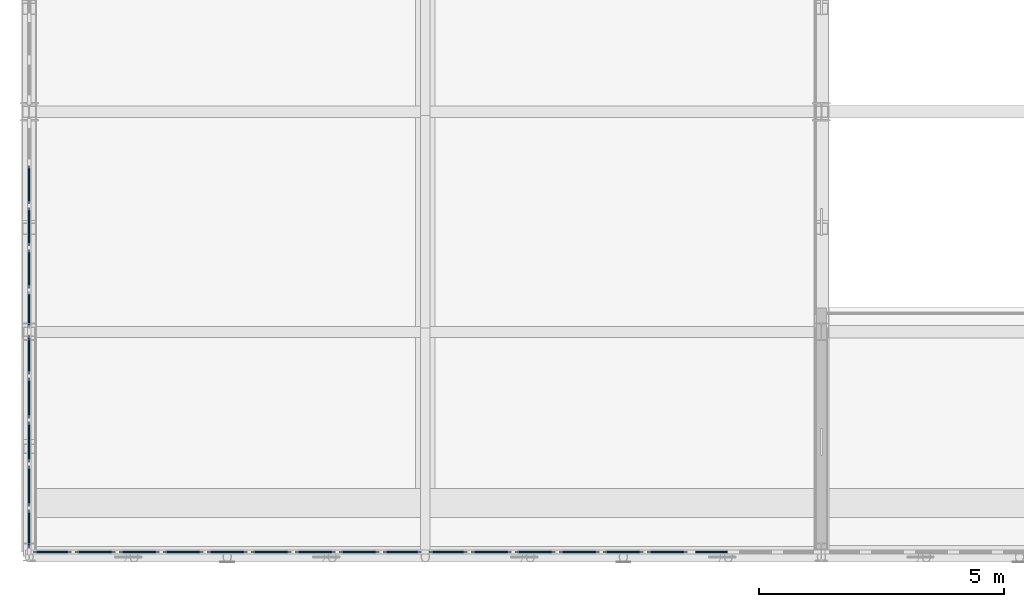
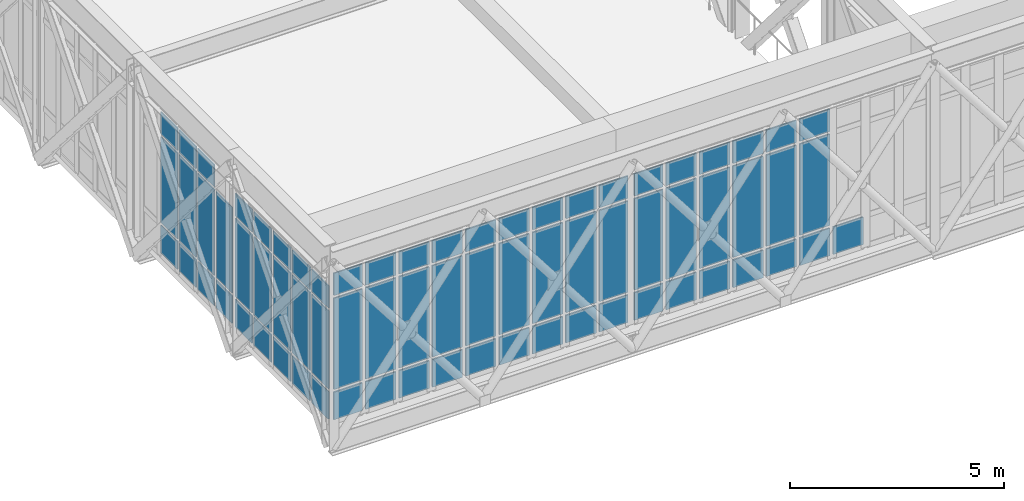
# One storey, part 40 of 70: 72 plates, 4 elements without a shape of their own.
"""IFC4 building model written with IfcOpenShell, lengths in metres."""

from ifc_helpers import new_model, si_unit, direction, frame, origin, origin_2d, place, context, subcontext, project, spatial, rectangle, extrude, material, layer, layer_set, type_object, element, aggregate, save


model = new_model("IFC4")

# Units and contexts
model_context = context("Model", 3, precision=1e-05, world=origin(), true_north=direction((0.0, 1.0)))
body_context = subcontext(model_context, "Body", "Model", "MODEL_VIEW")
ifc_project = project(units=[si_unit("LENGTHUNIT", "METRE"), si_unit("AREAUNIT", "SQUARE_METRE"), si_unit("VOLUMEUNIT", "CUBIC_METRE"), si_unit("PLANEANGLEUNIT", "RADIAN"), si_unit("MASSUNIT", "GRAM", prefix="KILO")], contexts=[model_context])

# Site, building, storey
site_placement = place(None, origin())
site = spatial("IfcSite", under=ifc_project, at=site_placement, CompositionType="ELEMENT")
building_placement = place(site_placement, origin())
building = spatial("IfcBuilding", under=site, at=building_placement, Name="Tarnveldt Square Police Headquarters", CompositionType="ELEMENT")
storey_placement = place(building_placement, frame((0.0, 0.0, 19.800048828125)))
storey = spatial("IfcBuildingStorey", under=building, at=storey_placement, Name="L04", CompositionType="ELEMENT", Elevation=19.800048828125)

# Curtain wall, plates
ifc_material_1 = material(Name="UL 752 Level III laminated ballistic vision glass", Category="glass")
curtain_wall_type_1 = type_object("IfcCurtainWallType", Name="CW-BL-810x433", PredefinedType="USERDEFINED", material=ifc_material_1)
curtain_wall_1_placement = place(storey_placement, origin())
curtain_wall_1 = element("IfcCurtainWall", 1, at=curtain_wall_1_placement, inside=storey, type_object=curtain_wall_type_1, Name="L04 Curtain Wall CW-L04-040", ObjectType="BALLISTIC CURTAIN WALL", PredefinedType="USERDEFINED")
ifc_layer_1 = layer(ifc_material_1, 0.0380859375)
ifc_layer_set_1 = layer_set([ifc_layer_1], Name="UL 752 Level III laminated ballistic vision glass")
plate_type_1 = type_object("IfcPlateType", Name="CWP-BAL-38", PredefinedType="CURTAIN_PANEL", material=ifc_layer_set_1)
plate_1_placement = place(storey_placement, frame((8.5712890625, 7.0, 0.074951171875), z_axis=(0.0, 0.0, 1.0), x_axis=(1.0, 0.0, 0.0)))
plate_1 = element("IfcPlate", 2, at=plate_1_placement, type_object=plate_type_1, Name="CW-BL17 panel 1.1", PredefinedType="CURTAIN_PANEL", context=body_context, shape_type="SweptSolid", body=[
    extrude(rectangle(XDim=0.7724609375, YDim=0.0380859375, at=origin_2d()), origin(), (0.0, 0.0, 1.0), 0.78759765625),
])
plate_2_placement = place(storey_placement, frame((8.5712890625, 7.0, 0.9375), z_axis=(0.0, 0.0, 1.0), x_axis=(1.0, 0.0, 0.0)))
plate_2 = element("IfcPlate", 3, at=plate_2_placement, type_object=plate_type_1, Name="CW-BL17 panel 1.2", PredefinedType="CURTAIN_PANEL", context=body_context, shape_type="SweptSolid", body=[
    extrude(rectangle(XDim=0.7724609375, YDim=0.0380859375, at=origin_2d()), origin(), (0.0, 0.0, 1.0), 2.6015625),
])
plate_3_placement = place(storey_placement, frame((8.5712890625, 7.0, 3.61376953125), z_axis=(0.0, 0.0, 1.0), x_axis=(1.0, 0.0, 0.0)))
plate_3 = element("IfcPlate", 4, at=plate_3_placement, type_object=plate_type_1, Name="CW-BL17 panel 1.3", PredefinedType="CURTAIN_PANEL", context=body_context, shape_type="SweptSolid", body=[
    extrude(rectangle(XDim=0.7724609375, YDim=0.0380859375, at=origin_2d()), origin(), (0.0, 0.0, 1.0), 0.637451171875),
])
plate_4_placement = place(storey_placement, frame((9.449951171875, 7.0, 0.074951171875), z_axis=(0.0, 0.0, 1.0), x_axis=(1.0, 0.0, 0.0)))
plate_4 = element("IfcPlate", 5, at=plate_4_placement, type_object=plate_type_1, Name="CW-BL17 panel 2.1", PredefinedType="CURTAIN_PANEL", context=body_context, shape_type="SweptSolid", body=[
    extrude(rectangle(XDim=0.81494140625, YDim=0.0380859375, at=origin_2d()), origin(), (0.0, 0.0, 1.0), 0.78759765625),
])
plate_5_placement = place(storey_placement, frame((9.449951171875, 7.0, 0.9375), z_axis=(0.0, 0.0, 1.0), x_axis=(1.0, 0.0, 0.0)))
plate_5 = element("IfcPlate", 6, at=plate_5_placement, type_object=plate_type_1, Name="CW-BL17 panel 2.2", PredefinedType="CURTAIN_PANEL", context=body_context, shape_type="SweptSolid", body=[
    extrude(rectangle(XDim=0.81494140625, YDim=0.0380859375, at=origin_2d()), origin(), (0.0, 0.0, 1.0), 2.6015625),
])
plate_6_placement = place(storey_placement, frame((9.449951171875, 7.0, 3.61376953125), z_axis=(0.0, 0.0, 1.0), x_axis=(1.0, 0.0, 0.0)))
plate_6 = element("IfcPlate", 7, at=plate_6_placement, type_object=plate_type_1, Name="CW-BL17 panel 2.3", PredefinedType="CURTAIN_PANEL", context=body_context, shape_type="SweptSolid", body=[
    extrude(rectangle(XDim=0.81494140625, YDim=0.0380859375, at=origin_2d()), origin(), (0.0, 0.0, 1.0), 0.637451171875),
])
plate_7_placement = place(storey_placement, frame((10.35009765625, 7.0, 0.074951171875), z_axis=(0.0, 0.0, 1.0), x_axis=(1.0, 0.0, 0.0)))
plate_7 = element("IfcPlate", 8, at=plate_7_placement, type_object=plate_type_1, Name="CW-BL17 panel 3.1", PredefinedType="CURTAIN_PANEL", context=body_context, shape_type="SweptSolid", body=[
    extrude(rectangle(XDim=0.81494140625, YDim=0.0380859375, at=origin_2d()), origin(), (0.0, 0.0, 1.0), 0.78759765625),
])
plate_8_placement = place(storey_placement, frame((10.35009765625, 7.0, 0.9375), z_axis=(0.0, 0.0, 1.0), x_axis=(1.0, 0.0, 0.0)))
plate_8 = element("IfcPlate", 9, at=plate_8_placement, type_object=plate_type_1, Name="CW-BL17 panel 3.2", PredefinedType="CURTAIN_PANEL", context=body_context, shape_type="SweptSolid", body=[
    extrude(rectangle(XDim=0.81494140625, YDim=0.0380859375, at=origin_2d()), origin(), (0.0, 0.0, 1.0), 2.6015625),
])
plate_9_placement = place(storey_placement, frame((10.35009765625, 7.0, 3.61376953125), z_axis=(0.0, 0.0, 1.0), x_axis=(1.0, 0.0, 0.0)))
plate_9 = element("IfcPlate", 10, at=plate_9_placement, type_object=plate_type_1, Name="CW-BL17 panel 3.3", PredefinedType="CURTAIN_PANEL", context=body_context, shape_type="SweptSolid", body=[
    extrude(rectangle(XDim=0.81494140625, YDim=0.0380859375, at=origin_2d()), origin(), (0.0, 0.0, 1.0), 0.637451171875),
])
plate_10_placement = place(storey_placement, frame((11.25, 7.0, 0.074951171875), z_axis=(0.0, 0.0, 1.0), x_axis=(1.0, 0.0, 0.0)))
plate_10 = element("IfcPlate", 11, at=plate_10_placement, type_object=plate_type_1, Name="CW-BL17 panel 4.1", PredefinedType="CURTAIN_PANEL", context=body_context, shape_type="SweptSolid", body=[
    extrude(rectangle(XDim=0.81494140625, YDim=0.0380859375, at=origin_2d()), origin(), (0.0, 0.0, 1.0), 0.78759765625),
])
plate_11_placement = place(storey_placement, frame((11.25, 7.0, 0.9375), z_axis=(0.0, 0.0, 1.0), x_axis=(1.0, 0.0, 0.0)))
plate_11 = element("IfcPlate", 12, at=plate_11_placement, type_object=plate_type_1, Name="CW-BL17 panel 4.2", PredefinedType="CURTAIN_PANEL", context=body_context, shape_type="SweptSolid", body=[
    extrude(rectangle(XDim=0.81494140625, YDim=0.0380859375, at=origin_2d()), origin(), (0.0, 0.0, 1.0), 2.6015625),
])
plate_12_placement = place(storey_placement, frame((11.25, 7.0, 3.61376953125), z_axis=(0.0, 0.0, 1.0), x_axis=(1.0, 0.0, 0.0)))
plate_12 = element("IfcPlate", 13, at=plate_12_placement, type_object=plate_type_1, Name="CW-BL17 panel 4.3", PredefinedType="CURTAIN_PANEL", context=body_context, shape_type="SweptSolid", body=[
    extrude(rectangle(XDim=0.81494140625, YDim=0.0380859375, at=origin_2d()), origin(), (0.0, 0.0, 1.0), 0.637451171875),
])
plate_13_placement = place(storey_placement, frame((12.14990234375, 7.0, 0.074951171875), z_axis=(0.0, 0.0, 1.0), x_axis=(1.0, 0.0, 0.0)))
plate_13 = element("IfcPlate", 14, at=plate_13_placement, type_object=plate_type_1, Name="CW-BL17 panel 5.1", PredefinedType="CURTAIN_PANEL", context=body_context, shape_type="SweptSolid", body=[
    extrude(rectangle(XDim=0.81494140625, YDim=0.0380859375, at=origin_2d()), origin(), (0.0, 0.0, 1.0), 0.78759765625),
])
plate_14_placement = place(storey_placement, frame((12.14990234375, 7.0, 0.9375), z_axis=(0.0, 0.0, 1.0), x_axis=(1.0, 0.0, 0.0)))
plate_14 = element("IfcPlate", 15, at=plate_14_placement, type_object=plate_type_1, Name="CW-BL17 panel 5.2", PredefinedType="CURTAIN_PANEL", context=body_context, shape_type="SweptSolid", body=[
    extrude(rectangle(XDim=0.81494140625, YDim=0.0380859375, at=origin_2d()), origin(), (0.0, 0.0, 1.0), 2.6015625),
])
plate_15_placement = place(storey_placement, frame((12.14990234375, 7.0, 3.61376953125), z_axis=(0.0, 0.0, 1.0), x_axis=(1.0, 0.0, 0.0)))
plate_15 = element("IfcPlate", 16, at=plate_15_placement, type_object=plate_type_1, Name="CW-BL17 panel 5.3", PredefinedType="CURTAIN_PANEL", context=body_context, shape_type="SweptSolid", body=[
    extrude(rectangle(XDim=0.81494140625, YDim=0.0380859375, at=origin_2d()), origin(), (0.0, 0.0, 1.0), 0.637451171875),
])
plate_16_placement = place(storey_placement, frame((13.050048828125, 7.0, 0.074951171875), z_axis=(0.0, 0.0, 1.0), x_axis=(1.0, 0.0, 0.0)))
plate_16 = element("IfcPlate", 17, at=plate_16_placement, type_object=plate_type_1, Name="CW-BL17 panel 6.1", PredefinedType="CURTAIN_PANEL", context=body_context, shape_type="SweptSolid", body=[
    extrude(rectangle(XDim=0.81494140625, YDim=0.0380859375, at=origin_2d()), origin(), (0.0, 0.0, 1.0), 0.78759765625),
])
plate_17_placement = place(storey_placement, frame((13.050048828125, 7.0, 0.9375), z_axis=(0.0, 0.0, 1.0), x_axis=(1.0, 0.0, 0.0)))
plate_17 = element("IfcPlate", 18, at=plate_17_placement, type_object=plate_type_1, Name="CW-BL17 panel 6.2", PredefinedType="CURTAIN_PANEL", context=body_context, shape_type="SweptSolid", body=[
    extrude(rectangle(XDim=0.81494140625, YDim=0.0380859375, at=origin_2d()), origin(), (0.0, 0.0, 1.0), 2.6015625),
])
plate_18_placement = place(storey_placement, frame((13.050048828125, 7.0, 3.61376953125), z_axis=(0.0, 0.0, 1.0), x_axis=(1.0, 0.0, 0.0)))
plate_18 = element("IfcPlate", 19, at=plate_18_placement, type_object=plate_type_1, Name="CW-BL17 panel 6.3", PredefinedType="CURTAIN_PANEL", context=body_context, shape_type="SweptSolid", body=[
    extrude(rectangle(XDim=0.81494140625, YDim=0.0380859375, at=origin_2d()), origin(), (0.0, 0.0, 1.0), 0.637451171875),
])
plate_19_placement = place(storey_placement, frame((13.949951171875, 7.0, 0.074951171875), z_axis=(0.0, 0.0, 1.0), x_axis=(1.0, 0.0, 0.0)))
plate_19 = element("IfcPlate", 20, at=plate_19_placement, type_object=plate_type_1, Name="CW-BL17 panel 7.1", PredefinedType="CURTAIN_PANEL", context=body_context, shape_type="SweptSolid", body=[
    extrude(rectangle(XDim=0.81494140625, YDim=0.0380859375, at=origin_2d()), origin(), (0.0, 0.0, 1.0), 0.78759765625),
])
plate_20_placement = place(storey_placement, frame((13.949951171875, 7.0, 0.9375), z_axis=(0.0, 0.0, 1.0), x_axis=(1.0, 0.0, 0.0)))
plate_20 = element("IfcPlate", 21, at=plate_20_placement, type_object=plate_type_1, Name="CW-BL17 panel 7.2", PredefinedType="CURTAIN_PANEL", context=body_context, shape_type="SweptSolid", body=[
    extrude(rectangle(XDim=0.81494140625, YDim=0.0380859375, at=origin_2d()), origin(), (0.0, 0.0, 1.0), 2.6015625),
])
plate_21_placement = place(storey_placement, frame((13.949951171875, 7.0, 3.61376953125), z_axis=(0.0, 0.0, 1.0), x_axis=(1.0, 0.0, 0.0)))
plate_21 = element("IfcPlate", 22, at=plate_21_placement, type_object=plate_type_1, Name="CW-BL17 panel 7.3", PredefinedType="CURTAIN_PANEL", context=body_context, shape_type="SweptSolid", body=[
    extrude(rectangle(XDim=0.81494140625, YDim=0.0380859375, at=origin_2d()), origin(), (0.0, 0.0, 1.0), 0.637451171875),
])
plate_22_placement = place(storey_placement, frame((14.85009765625, 7.0, 0.074951171875), z_axis=(0.0, 0.0, 1.0), x_axis=(1.0, 0.0, 0.0)))
plate_22 = element("IfcPlate", 23, at=plate_22_placement, type_object=plate_type_1, Name="CW-BL17 panel 8.1", PredefinedType="CURTAIN_PANEL", context=body_context, shape_type="SweptSolid", body=[
    extrude(rectangle(XDim=0.81494140625, YDim=0.0380859375, at=origin_2d()), origin(), (0.0, 0.0, 1.0), 0.78759765625),
])
plate_23_placement = place(storey_placement, frame((14.85009765625, 7.0, 0.9375), z_axis=(0.0, 0.0, 1.0), x_axis=(1.0, 0.0, 0.0)))
plate_23 = element("IfcPlate", 24, at=plate_23_placement, type_object=plate_type_1, Name="CW-BL17 panel 8.2", PredefinedType="CURTAIN_PANEL", context=body_context, shape_type="SweptSolid", body=[
    extrude(rectangle(XDim=0.81494140625, YDim=0.0380859375, at=origin_2d()), origin(), (0.0, 0.0, 1.0), 2.6015625),
])
plate_24_placement = place(storey_placement, frame((14.85009765625, 7.0, 3.61376953125), z_axis=(0.0, 0.0, 1.0), x_axis=(1.0, 0.0, 0.0)))
plate_24 = element("IfcPlate", 25, at=plate_24_placement, type_object=plate_type_1, Name="CW-BL17 panel 8.3", PredefinedType="CURTAIN_PANEL", context=body_context, shape_type="SweptSolid", body=[
    extrude(rectangle(XDim=0.81494140625, YDim=0.0380859375, at=origin_2d()), origin(), (0.0, 0.0, 1.0), 0.637451171875),
])
plate_25_placement = place(storey_placement, frame((15.728759765625, 7.0, 0.074951171875), z_axis=(0.0, 0.0, 1.0), x_axis=(1.0, 0.0, 0.0)))
plate_25 = element("IfcPlate", 26, at=plate_25_placement, type_object=plate_type_1, Name="CW-BL17 panel 9.1", PredefinedType="CURTAIN_PANEL", context=body_context, shape_type="SweptSolid", body=[
    extrude(rectangle(XDim=0.7724609375, YDim=0.0380859375, at=origin_2d()), origin(), (0.0, 0.0, 1.0), 0.78759765625),
])
plate_26_placement = place(storey_placement, frame((15.728759765625, 7.0, 0.9375), z_axis=(0.0, 0.0, 1.0), x_axis=(1.0, 0.0, 0.0)))
plate_26 = element("IfcPlate", 27, at=plate_26_placement, type_object=plate_type_1, Name="CW-BL17 panel 9.2", PredefinedType="CURTAIN_PANEL", context=body_context, shape_type="SweptSolid", body=[
    extrude(rectangle(XDim=0.7724609375, YDim=0.0380859375, at=origin_2d()), origin(), (0.0, 0.0, 1.0), 2.6015625),
])
plate_27_placement = place(storey_placement, frame((15.728759765625, 7.0, 3.61376953125), z_axis=(0.0, 0.0, 1.0), x_axis=(1.0, 0.0, 0.0)))
plate_27 = element("IfcPlate", 28, at=plate_27_placement, type_object=plate_type_1, Name="CW-BL17 panel 9.3", PredefinedType="CURTAIN_PANEL", context=body_context, shape_type="SweptSolid", body=[
    extrude(rectangle(XDim=0.7724609375, YDim=0.0380859375, at=origin_2d()), origin(), (0.0, 0.0, 1.0), 0.637451171875),
])
aggregate(curtain_wall_1, [plate_1, plate_2, plate_3, plate_4, plate_5, plate_6, plate_7, plate_8, plate_9, plate_10, plate_11, plate_12, plate_13, plate_14, plate_15, plate_16, plate_17, plate_18, plate_19, plate_20, plate_21, plate_22, plate_23, plate_24, plate_25, plate_26, plate_27])

curtain_wall_2_placement = place(storey_placement, origin())
curtain_wall_2 = element("IfcCurtainWall", 29, at=curtain_wall_2_placement, inside=storey, type_object=curtain_wall_type_1, Name="L04 Curtain Wall CW-L04-041", ObjectType="BALLISTIC CURTAIN WALL", PredefinedType="USERDEFINED")
plate_28_placement = place(storey_placement, frame((16.671142578125, 7.0, 0.074951171875), z_axis=(0.0, 0.0, 1.0), x_axis=(1.0, 0.0, 0.0)))
plate_28 = element("IfcPlate", 30, at=plate_28_placement, type_object=plate_type_1, Name="CW-BL17 panel 1.1", PredefinedType="CURTAIN_PANEL", context=body_context, shape_type="SweptSolid", body=[
    extrude(rectangle(XDim=0.7724609375, YDim=0.0380859375, at=origin_2d()), origin(), (0.0, 0.0, 1.0), 0.78759765625),
])
plate_29_placement = place(storey_placement, frame((16.671142578125, 7.0, 0.9375), z_axis=(0.0, 0.0, 1.0), x_axis=(1.0, 0.0, 0.0)))
plate_29 = element("IfcPlate", 31, at=plate_29_placement, type_object=plate_type_1, Name="CW-BL17 panel 1.2", PredefinedType="CURTAIN_PANEL", context=body_context, shape_type="SweptSolid", body=[
    extrude(rectangle(XDim=0.7724609375, YDim=0.0380859375, at=origin_2d()), origin(), (0.0, 0.0, 1.0), 2.6015625),
])
plate_30_placement = place(storey_placement, frame((16.671142578125, 7.0, 3.61376953125), z_axis=(0.0, 0.0, 1.0), x_axis=(1.0, 0.0, 0.0)))
plate_30 = element("IfcPlate", 32, at=plate_30_placement, type_object=plate_type_1, Name="CW-BL17 panel 1.3", PredefinedType="CURTAIN_PANEL", context=body_context, shape_type="SweptSolid", body=[
    extrude(rectangle(XDim=0.7724609375, YDim=0.0380859375, at=origin_2d()), origin(), (0.0, 0.0, 1.0), 0.637451171875),
])
plate_31_placement = place(storey_placement, frame((17.550048828125, 7.0, 0.074951171875), z_axis=(0.0, 0.0, 1.0), x_axis=(1.0, 0.0, 0.0)))
plate_31 = element("IfcPlate", 33, at=plate_31_placement, type_object=plate_type_1, Name="CW-BL17 panel 2.1", PredefinedType="CURTAIN_PANEL", context=body_context, shape_type="SweptSolid", body=[
    extrude(rectangle(XDim=0.81494140625, YDim=0.0380859375, at=origin_2d()), origin(), (0.0, 0.0, 1.0), 0.78759765625),
])
plate_32_placement = place(storey_placement, frame((17.550048828125, 7.0, 0.9375), z_axis=(0.0, 0.0, 1.0), x_axis=(1.0, 0.0, 0.0)))
plate_32 = element("IfcPlate", 34, at=plate_32_placement, type_object=plate_type_1, Name="CW-BL17 panel 2.2", PredefinedType="CURTAIN_PANEL", context=body_context, shape_type="SweptSolid", body=[
    extrude(rectangle(XDim=0.81494140625, YDim=0.0380859375, at=origin_2d()), origin(), (0.0, 0.0, 1.0), 2.6015625),
])
plate_33_placement = place(storey_placement, frame((17.550048828125, 7.0, 3.61376953125), z_axis=(0.0, 0.0, 1.0), x_axis=(1.0, 0.0, 0.0)))
plate_33 = element("IfcPlate", 35, at=plate_33_placement, type_object=plate_type_1, Name="CW-BL17 panel 2.3", PredefinedType="CURTAIN_PANEL", context=body_context, shape_type="SweptSolid", body=[
    extrude(rectangle(XDim=0.81494140625, YDim=0.0380859375, at=origin_2d()), origin(), (0.0, 0.0, 1.0), 0.637451171875),
])
plate_34_placement = place(storey_placement, frame((18.449951171875, 7.0, 0.074951171875), z_axis=(0.0, 0.0, 1.0), x_axis=(1.0, 0.0, 0.0)))
plate_34 = element("IfcPlate", 36, at=plate_34_placement, type_object=plate_type_1, Name="CW-BL17 panel 3.1", PredefinedType="CURTAIN_PANEL", context=body_context, shape_type="SweptSolid", body=[
    extrude(rectangle(XDim=0.81494140625, YDim=0.0380859375, at=origin_2d()), origin(), (0.0, 0.0, 1.0), 0.78759765625),
])
plate_35_placement = place(storey_placement, frame((18.449951171875, 7.0, 0.9375), z_axis=(0.0, 0.0, 1.0), x_axis=(1.0, 0.0, 0.0)))
plate_35 = element("IfcPlate", 37, at=plate_35_placement, type_object=plate_type_1, Name="CW-BL17 panel 3.2", PredefinedType="CURTAIN_PANEL", context=body_context, shape_type="SweptSolid", body=[
    extrude(rectangle(XDim=0.81494140625, YDim=0.0380859375, at=origin_2d()), origin(), (0.0, 0.0, 1.0), 2.6015625),
])
plate_36_placement = place(storey_placement, frame((18.449951171875, 7.0, 3.61376953125), z_axis=(0.0, 0.0, 1.0), x_axis=(1.0, 0.0, 0.0)))
plate_36 = element("IfcPlate", 38, at=plate_36_placement, type_object=plate_type_1, Name="CW-BL17 panel 3.3", PredefinedType="CURTAIN_PANEL", context=body_context, shape_type="SweptSolid", body=[
    extrude(rectangle(XDim=0.81494140625, YDim=0.0380859375, at=origin_2d()), origin(), (0.0, 0.0, 1.0), 0.637451171875),
])
plate_37_placement = place(storey_placement, frame((19.35009765625, 7.0, 0.074951171875), z_axis=(0.0, 0.0, 1.0), x_axis=(1.0, 0.0, 0.0)))
plate_37 = element("IfcPlate", 39, at=plate_37_placement, type_object=plate_type_1, Name="CW-BL17 panel 4.1", PredefinedType="CURTAIN_PANEL", context=body_context, shape_type="SweptSolid", body=[
    extrude(rectangle(XDim=0.81494140625, YDim=0.0380859375, at=origin_2d()), origin(), (0.0, 0.0, 1.0), 0.78759765625),
])
plate_38_placement = place(storey_placement, frame((19.35009765625, 7.0, 0.9375), z_axis=(0.0, 0.0, 1.0), x_axis=(1.0, 0.0, 0.0)))
plate_38 = element("IfcPlate", 40, at=plate_38_placement, type_object=plate_type_1, Name="CW-BL17 panel 4.2", PredefinedType="CURTAIN_PANEL", context=body_context, shape_type="SweptSolid", body=[
    extrude(rectangle(XDim=0.81494140625, YDim=0.0380859375, at=origin_2d()), origin(), (0.0, 0.0, 1.0), 2.6015625),
])
plate_39_placement = place(storey_placement, frame((19.35009765625, 7.0, 3.61376953125), z_axis=(0.0, 0.0, 1.0), x_axis=(1.0, 0.0, 0.0)))
plate_39 = element("IfcPlate", 41, at=plate_39_placement, type_object=plate_type_1, Name="CW-BL17 panel 4.3", PredefinedType="CURTAIN_PANEL", context=body_context, shape_type="SweptSolid", body=[
    extrude(rectangle(XDim=0.81494140625, YDim=0.0380859375, at=origin_2d()), origin(), (0.0, 0.0, 1.0), 0.637451171875),
])
plate_40_placement = place(storey_placement, frame((20.25, 7.0, 0.074951171875), z_axis=(0.0, 0.0, 1.0), x_axis=(1.0, 0.0, 0.0)))
plate_40 = element("IfcPlate", 42, at=plate_40_placement, type_object=plate_type_1, Name="CW-BL17 panel 5.1", PredefinedType="CURTAIN_PANEL", context=body_context, shape_type="SweptSolid", body=[
    extrude(rectangle(XDim=0.81494140625, YDim=0.0380859375, at=origin_2d()), origin(), (0.0, 0.0, 1.0), 0.78759765625),
])
plate_41_placement = place(storey_placement, frame((20.25, 7.0, 0.9375), z_axis=(0.0, 0.0, 1.0), x_axis=(1.0, 0.0, 0.0)))
plate_41 = element("IfcPlate", 43, at=plate_41_placement, type_object=plate_type_1, Name="CW-BL17 panel 5.2", PredefinedType="CURTAIN_PANEL", context=body_context, shape_type="SweptSolid", body=[
    extrude(rectangle(XDim=0.81494140625, YDim=0.0380859375, at=origin_2d()), origin(), (0.0, 0.0, 1.0), 2.6015625),
])
plate_42_placement = place(storey_placement, frame((20.25, 7.0, 3.61376953125), z_axis=(0.0, 0.0, 1.0), x_axis=(1.0, 0.0, 0.0)))
plate_42 = element("IfcPlate", 44, at=plate_42_placement, type_object=plate_type_1, Name="CW-BL17 panel 5.3", PredefinedType="CURTAIN_PANEL", context=body_context, shape_type="SweptSolid", body=[
    extrude(rectangle(XDim=0.81494140625, YDim=0.0380859375, at=origin_2d()), origin(), (0.0, 0.0, 1.0), 0.637451171875),
])
plate_43_placement = place(storey_placement, frame((21.14990234375, 7.0, 0.074951171875), z_axis=(0.0, 0.0, 1.0), x_axis=(1.0, 0.0, 0.0)))
plate_43 = element("IfcPlate", 45, at=plate_43_placement, type_object=plate_type_1, Name="CW-BL17 panel 6.1", PredefinedType="CURTAIN_PANEL", context=body_context, shape_type="SweptSolid", body=[
    extrude(rectangle(XDim=0.81494140625, YDim=0.0380859375, at=origin_2d()), origin(), (0.0, 0.0, 1.0), 0.78759765625),
])
plate_44_placement = place(storey_placement, frame((21.14990234375, 7.0, 0.9375), z_axis=(0.0, 0.0, 1.0), x_axis=(1.0, 0.0, 0.0)))
plate_44 = element("IfcPlate", 46, at=plate_44_placement, type_object=plate_type_1, Name="CW-BL17 panel 6.2", PredefinedType="CURTAIN_PANEL", context=body_context, shape_type="SweptSolid", body=[
    extrude(rectangle(XDim=0.81494140625, YDim=0.0380859375, at=origin_2d()), origin(), (0.0, 0.0, 1.0), 2.6015625),
])
plate_45_placement = place(storey_placement, frame((21.14990234375, 7.0, 3.61376953125), z_axis=(0.0, 0.0, 1.0), x_axis=(1.0, 0.0, 0.0)))
plate_45 = element("IfcPlate", 47, at=plate_45_placement, type_object=plate_type_1, Name="CW-BL17 panel 6.3", PredefinedType="CURTAIN_PANEL", context=body_context, shape_type="SweptSolid", body=[
    extrude(rectangle(XDim=0.81494140625, YDim=0.0380859375, at=origin_2d()), origin(), (0.0, 0.0, 1.0), 0.637451171875),
])
plate_46_placement = place(storey_placement, frame((22.050048828125, 7.0, 0.074951171875), z_axis=(0.0, 0.0, 1.0), x_axis=(1.0, 0.0, 0.0)))
plate_46 = element("IfcPlate", 48, at=plate_46_placement, type_object=plate_type_1, Name="CW-BL17 panel 7.1", PredefinedType="CURTAIN_PANEL", context=body_context, shape_type="SweptSolid", body=[
    extrude(rectangle(XDim=0.81494140625, YDim=0.0380859375, at=origin_2d()), origin(), (0.0, 0.0, 1.0), 0.78759765625),
])
aggregate(curtain_wall_2, [plate_28, plate_29, plate_30, plate_31, plate_32, plate_33, plate_34, plate_35, plate_36, plate_37, plate_38, plate_39, plate_40, plate_41, plate_42, plate_43, plate_44, plate_45, plate_46])

ifc_material_2 = material(Name="Triple-glazed low-e laminated vision glass", Category="glass")
curtain_wall_type_2 = type_object("IfcCurtainWallType", Name="CW-LT-450x395", PredefinedType="USERDEFINED", material=ifc_material_2)
curtain_wall_3_placement = place(storey_placement, origin())
curtain_wall_3 = element("IfcCurtainWall", 49, at=curtain_wall_3_placement, inside=storey, type_object=curtain_wall_type_2, Name="L04 Curtain Wall CW-L04-050", ObjectType="GLAZED CURTAIN WALL", PredefinedType="USERDEFINED")
ifc_layer_2 = layer(ifc_material_2, 0.028076171875)
ifc_layer_set_2 = layer_set([ifc_layer_2], Name="Triple-glazed low-e laminated vision glass")
plate_type_2 = type_object("IfcPlateType", Name="CWP-VIS-28", PredefinedType="CURTAIN_PANEL", material=ifc_layer_set_2)
plate_47_placement = place(storey_placement, frame((8.10009765625, 7.46875, 0.074951171875), z_axis=(0.0, 0.0, 1.0), x_axis=(0.0, 1.0, 0.0)))
plate_47 = element("IfcPlate", 50, at=plate_47_placement, type_object=plate_type_2, Name="CW-LT20 panel 1.1", PredefinedType="CURTAIN_PANEL", context=body_context, shape_type="SweptSolid", body=[
    extrude(rectangle(XDim=0.78759765625, YDim=0.028076171875, at=origin_2d()), origin(), (0.0, 0.0, 1.0), 0.78759765625),
])
plate_48_placement = place(storey_placement, frame((8.10009765625, 7.46875, 0.9375), z_axis=(0.0, 0.0, 1.0), x_axis=(0.0, 1.0, 0.0)))
plate_48 = element("IfcPlate", 51, at=plate_48_placement, type_object=plate_type_2, Name="CW-LT20 panel 1.2", PredefinedType="CURTAIN_PANEL", context=body_context, shape_type="SweptSolid", body=[
    extrude(rectangle(XDim=0.78759765625, YDim=0.028076171875, at=origin_2d()), origin(), (0.0, 0.0, 1.0), 2.22705078125),
])
plate_49_placement = place(storey_placement, frame((8.10009765625, 7.46875, 3.2392578125), z_axis=(0.0, 0.0, 1.0), x_axis=(0.0, 1.0, 0.0)))
plate_49 = element("IfcPlate", 52, at=plate_49_placement, type_object=plate_type_2, Name="CW-LT20 panel 1.3", PredefinedType="CURTAIN_PANEL", context=body_context, shape_type="SweptSolid", body=[
    extrude(rectangle(XDim=0.78759765625, YDim=0.028076171875, at=origin_2d()), origin(), (0.0, 0.0, 1.0), 0.637451171875),
])
plate_50_placement = place(storey_placement, frame((8.10009765625, 8.35009765625, 0.074951171875), z_axis=(0.0, 0.0, 1.0), x_axis=(0.0, 1.0, 0.0)))
plate_50 = element("IfcPlate", 53, at=plate_50_placement, type_object=plate_type_2, Name="CW-LT20 panel 2.1", PredefinedType="CURTAIN_PANEL", context=body_context, shape_type="SweptSolid", body=[
    extrude(rectangle(XDim=0.824951171875, YDim=0.028076171875, at=origin_2d()), origin(), (0.0, 0.0, 1.0), 0.78759765625),
])
plate_51_placement = place(storey_placement, frame((8.10009765625, 8.35009765625, 0.9375), z_axis=(0.0, 0.0, 1.0), x_axis=(0.0, 1.0, 0.0)))
plate_51 = element("IfcPlate", 54, at=plate_51_placement, type_object=plate_type_2, Name="CW-LT20 panel 2.2", PredefinedType="CURTAIN_PANEL", context=body_context, shape_type="SweptSolid", body=[
    extrude(rectangle(XDim=0.824951171875, YDim=0.028076171875, at=origin_2d()), origin(), (0.0, 0.0, 1.0), 2.22705078125),
])
plate_52_placement = place(storey_placement, frame((8.10009765625, 8.35009765625, 3.2392578125), z_axis=(0.0, 0.0, 1.0), x_axis=(0.0, 1.0, 0.0)))
plate_52 = element("IfcPlate", 55, at=plate_52_placement, type_object=plate_type_2, Name="CW-LT20 panel 2.3", PredefinedType="CURTAIN_PANEL", context=body_context, shape_type="SweptSolid", body=[
    extrude(rectangle(XDim=0.824951171875, YDim=0.028076171875, at=origin_2d()), origin(), (0.0, 0.0, 1.0), 0.637451171875),
])
plate_53_placement = place(storey_placement, frame((8.10009765625, 9.25, 0.074951171875), z_axis=(0.0, 0.0, 1.0), x_axis=(0.0, 1.0, 0.0)))
plate_53 = element("IfcPlate", 56, at=plate_53_placement, type_object=plate_type_2, Name="CW-LT20 panel 3.1", PredefinedType="CURTAIN_PANEL", context=body_context, shape_type="SweptSolid", body=[
    extrude(rectangle(XDim=0.824951171875, YDim=0.028076171875, at=origin_2d()), origin(), (0.0, 0.0, 1.0), 0.78759765625),
])
plate_54_placement = place(storey_placement, frame((8.10009765625, 9.25, 0.9375), z_axis=(0.0, 0.0, 1.0), x_axis=(0.0, 1.0, 0.0)))
plate_54 = element("IfcPlate", 57, at=plate_54_placement, type_object=plate_type_2, Name="CW-LT20 panel 3.2", PredefinedType="CURTAIN_PANEL", context=body_context, shape_type="SweptSolid", body=[
    extrude(rectangle(XDim=0.824951171875, YDim=0.028076171875, at=origin_2d()), origin(), (0.0, 0.0, 1.0), 2.22705078125),
])
plate_55_placement = place(storey_placement, frame((8.10009765625, 9.25, 3.2392578125), z_axis=(0.0, 0.0, 1.0), x_axis=(0.0, 1.0, 0.0)))
plate_55 = element("IfcPlate", 58, at=plate_55_placement, type_object=plate_type_2, Name="CW-LT20 panel 3.3", PredefinedType="CURTAIN_PANEL", context=body_context, shape_type="SweptSolid", body=[
    extrude(rectangle(XDim=0.824951171875, YDim=0.028076171875, at=origin_2d()), origin(), (0.0, 0.0, 1.0), 0.637451171875),
])
plate_56_placement = place(storey_placement, frame((8.10009765625, 10.14990234375, 0.074951171875), z_axis=(0.0, 0.0, 1.0), x_axis=(0.0, 1.0, 0.0)))
plate_56 = element("IfcPlate", 59, at=plate_56_placement, type_object=plate_type_2, Name="CW-LT20 panel 4.1", PredefinedType="CURTAIN_PANEL", context=body_context, shape_type="SweptSolid", body=[
    extrude(rectangle(XDim=0.824951171875, YDim=0.028076171875, at=origin_2d()), origin(), (0.0, 0.0, 1.0), 0.78759765625),
])
plate_57_placement = place(storey_placement, frame((8.10009765625, 10.14990234375, 0.9375), z_axis=(0.0, 0.0, 1.0), x_axis=(0.0, 1.0, 0.0)))
plate_57 = element("IfcPlate", 60, at=plate_57_placement, type_object=plate_type_2, Name="CW-LT20 panel 4.2", PredefinedType="CURTAIN_PANEL", context=body_context, shape_type="SweptSolid", body=[
    extrude(rectangle(XDim=0.824951171875, YDim=0.028076171875, at=origin_2d()), origin(), (0.0, 0.0, 1.0), 2.22705078125),
])
plate_58_placement = place(storey_placement, frame((8.10009765625, 10.14990234375, 3.2392578125), z_axis=(0.0, 0.0, 1.0), x_axis=(0.0, 1.0, 0.0)))
plate_58 = element("IfcPlate", 61, at=plate_58_placement, type_object=plate_type_2, Name="CW-LT20 panel 4.3", PredefinedType="CURTAIN_PANEL", context=body_context, shape_type="SweptSolid", body=[
    extrude(rectangle(XDim=0.824951171875, YDim=0.028076171875, at=origin_2d()), origin(), (0.0, 0.0, 1.0), 0.637451171875),
])
plate_59_placement = place(storey_placement, frame((8.10009765625, 11.03125, 0.074951171875), z_axis=(0.0, 0.0, 1.0), x_axis=(0.0, 1.0, 0.0)))
plate_59 = element("IfcPlate", 62, at=plate_59_placement, type_object=plate_type_2, Name="CW-LT20 panel 5.1", PredefinedType="CURTAIN_PANEL", context=body_context, shape_type="SweptSolid", body=[
    extrude(rectangle(XDim=0.78759765625, YDim=0.028076171875, at=origin_2d()), origin(), (0.0, 0.0, 1.0), 0.78759765625),
])
plate_60_placement = place(storey_placement, frame((8.10009765625, 11.03125, 0.9375), z_axis=(0.0, 0.0, 1.0), x_axis=(0.0, 1.0, 0.0)))
plate_60 = element("IfcPlate", 63, at=plate_60_placement, type_object=plate_type_2, Name="CW-LT20 panel 5.2", PredefinedType="CURTAIN_PANEL", context=body_context, shape_type="SweptSolid", body=[
    extrude(rectangle(XDim=0.78759765625, YDim=0.028076171875, at=origin_2d()), origin(), (0.0, 0.0, 1.0), 2.22705078125),
])
plate_61_placement = place(storey_placement, frame((8.10009765625, 11.03125, 3.2392578125), z_axis=(0.0, 0.0, 1.0), x_axis=(0.0, 1.0, 0.0)))
plate_61 = element("IfcPlate", 64, at=plate_61_placement, type_object=plate_type_2, Name="CW-LT20 panel 5.3", PredefinedType="CURTAIN_PANEL", context=body_context, shape_type="SweptSolid", body=[
    extrude(rectangle(XDim=0.78759765625, YDim=0.028076171875, at=origin_2d()), origin(), (0.0, 0.0, 1.0), 0.637451171875),
])
aggregate(curtain_wall_3, [plate_47, plate_48, plate_49, plate_50, plate_51, plate_52, plate_53, plate_54, plate_55, plate_56, plate_57, plate_58, plate_59, plate_60, plate_61])

curtain_wall_type_3 = type_object("IfcCurtainWallType", Name="CW-LT-430x417", PredefinedType="USERDEFINED", material=ifc_material_2)
curtain_wall_4_placement = place(storey_placement, origin())
curtain_wall_4 = element("IfcCurtainWall", 65, at=curtain_wall_4_placement, inside=storey, type_object=curtain_wall_type_3, Name="L04 Curtain Wall CW-L04-051", ObjectType="GLAZED CURTAIN WALL", PredefinedType="USERDEFINED")
plate_62_placement = place(storey_placement, frame((8.10009765625, 11.948486328125, 0.074951171875), z_axis=(0.0, 0.0, 1.0), x_axis=(0.0, 1.0, 0.0)))
plate_62 = element("IfcPlate", 66, at=plate_62_placement, type_object=plate_type_2, Name="CW-LT21 panel 1.1", PredefinedType="CURTAIN_PANEL", context=body_context, shape_type="SweptSolid", body=[
    extrude(rectangle(XDim=0.7470703125, YDim=0.028076171875, at=origin_2d()), origin(), (0.0, 0.0, 1.0), 0.78759765625),
])
plate_63_placement = place(storey_placement, frame((8.10009765625, 11.948486328125, 0.9375), z_axis=(0.0, 0.0, 1.0), x_axis=(0.0, 1.0, 0.0)))
plate_63 = element("IfcPlate", 67, at=plate_63_placement, type_object=plate_type_2, Name="CW-LT21 panel 1.2", PredefinedType="CURTAIN_PANEL", context=body_context, shape_type="SweptSolid", body=[
    extrude(rectangle(XDim=0.7470703125, YDim=0.028076171875, at=origin_2d()), origin(), (0.0, 0.0, 1.0), 2.447998046875),
])
plate_64_placement = place(storey_placement, frame((8.10009765625, 12.789306640625, 0.074951171875), z_axis=(0.0, 0.0, 1.0), x_axis=(0.0, 1.0, 0.0)))
plate_64 = element("IfcPlate", 68, at=plate_64_placement, type_object=plate_type_2, Name="CW-LT21 panel 2.1", PredefinedType="CURTAIN_PANEL", context=body_context, shape_type="SweptSolid", body=[
    extrude(rectangle(XDim=0.78466796875, YDim=0.028076171875, at=origin_2d()), origin(), (0.0, 0.0, 1.0), 0.78759765625),
])
plate_65_placement = place(storey_placement, frame((8.10009765625, 12.789306640625, 0.9375), z_axis=(0.0, 0.0, 1.0), x_axis=(0.0, 1.0, 0.0)))
plate_65 = element("IfcPlate", 69, at=plate_65_placement, type_object=plate_type_2, Name="CW-LT21 panel 2.2", PredefinedType="CURTAIN_PANEL", context=body_context, shape_type="SweptSolid", body=[
    extrude(rectangle(XDim=0.78466796875, YDim=0.028076171875, at=origin_2d()), origin(), (0.0, 0.0, 1.0), 2.447998046875),
])
plate_66_placement = place(storey_placement, frame((8.10009765625, 12.789306640625, 3.46044921875), z_axis=(0.0, 0.0, 1.0), x_axis=(0.0, 1.0, 0.0)))
plate_66 = element("IfcPlate", 70, at=plate_66_placement, type_object=plate_type_2, Name="CW-LT21 panel 2.3", PredefinedType="CURTAIN_PANEL", context=body_context, shape_type="SweptSolid", body=[
    extrude(rectangle(XDim=0.78466796875, YDim=0.028076171875, at=origin_2d()), origin(), (0.0, 0.0, 1.0), 0.637451171875),
])
plate_67_placement = place(storey_placement, frame((8.10009765625, 13.64892578125, 0.074951171875), z_axis=(0.0, 0.0, 1.0), x_axis=(0.0, 1.0, 0.0)))
plate_67 = element("IfcPlate", 71, at=plate_67_placement, type_object=plate_type_2, Name="CW-LT21 panel 3.1", PredefinedType="CURTAIN_PANEL", context=body_context, shape_type="SweptSolid", body=[
    extrude(rectangle(XDim=0.78466796875, YDim=0.028076171875, at=origin_2d()), origin(), (0.0, 0.0, 1.0), 0.78759765625),
])
plate_68_placement = place(storey_placement, frame((8.10009765625, 13.64892578125, 0.9375), z_axis=(0.0, 0.0, 1.0), x_axis=(0.0, 1.0, 0.0)))
plate_68 = element("IfcPlate", 72, at=plate_68_placement, type_object=plate_type_2, Name="CW-LT21 panel 3.2", PredefinedType="CURTAIN_PANEL", context=body_context, shape_type="SweptSolid", body=[
    extrude(rectangle(XDim=0.78466796875, YDim=0.028076171875, at=origin_2d()), origin(), (0.0, 0.0, 1.0), 2.447998046875),
])
plate_69_placement = place(storey_placement, frame((8.10009765625, 13.64892578125, 3.46044921875), z_axis=(0.0, 0.0, 1.0), x_axis=(0.0, 1.0, 0.0)))
plate_69 = element("IfcPlate", 73, at=plate_69_placement, type_object=plate_type_2, Name="CW-LT21 panel 3.3", PredefinedType="CURTAIN_PANEL", context=body_context, shape_type="SweptSolid", body=[
    extrude(rectangle(XDim=0.78466796875, YDim=0.028076171875, at=origin_2d()), origin(), (0.0, 0.0, 1.0), 0.637451171875),
])
plate_70_placement = place(storey_placement, frame((8.10009765625, 14.508544921875, 0.074951171875), z_axis=(0.0, 0.0, 1.0), x_axis=(0.0, 1.0, 0.0)))
plate_70 = element("IfcPlate", 74, at=plate_70_placement, type_object=plate_type_2, Name="CW-LT21 panel 4.1", PredefinedType="CURTAIN_PANEL", context=body_context, shape_type="SweptSolid", body=[
    extrude(rectangle(XDim=0.78466796875, YDim=0.028076171875, at=origin_2d()), origin(), (0.0, 0.0, 1.0), 0.78759765625),
])
plate_71_placement = place(storey_placement, frame((8.10009765625, 14.508544921875, 0.9375), z_axis=(0.0, 0.0, 1.0), x_axis=(0.0, 1.0, 0.0)))
plate_71 = element("IfcPlate", 75, at=plate_71_placement, type_object=plate_type_2, Name="CW-LT21 panel 4.2", PredefinedType="CURTAIN_PANEL", context=body_context, shape_type="SweptSolid", body=[
    extrude(rectangle(XDim=0.78466796875, YDim=0.028076171875, at=origin_2d()), origin(), (0.0, 0.0, 1.0), 2.447998046875),
])
plate_72_placement = place(storey_placement, frame((8.10009765625, 14.508544921875, 3.46044921875), z_axis=(0.0, 0.0, 1.0), x_axis=(0.0, 1.0, 0.0)))
plate_72 = element("IfcPlate", 76, at=plate_72_placement, type_object=plate_type_2, Name="CW-LT21 panel 4.3", PredefinedType="CURTAIN_PANEL", context=body_context, shape_type="SweptSolid", body=[
    extrude(rectangle(XDim=0.78466796875, YDim=0.028076171875, at=origin_2d()), origin(), (0.0, 0.0, 1.0), 0.637451171875),
])
aggregate(curtain_wall_4, [plate_62, plate_63, plate_64, plate_65, plate_66, plate_67, plate_68, plate_69, plate_70, plate_71, plate_72])

save(model, "model.ifc")
